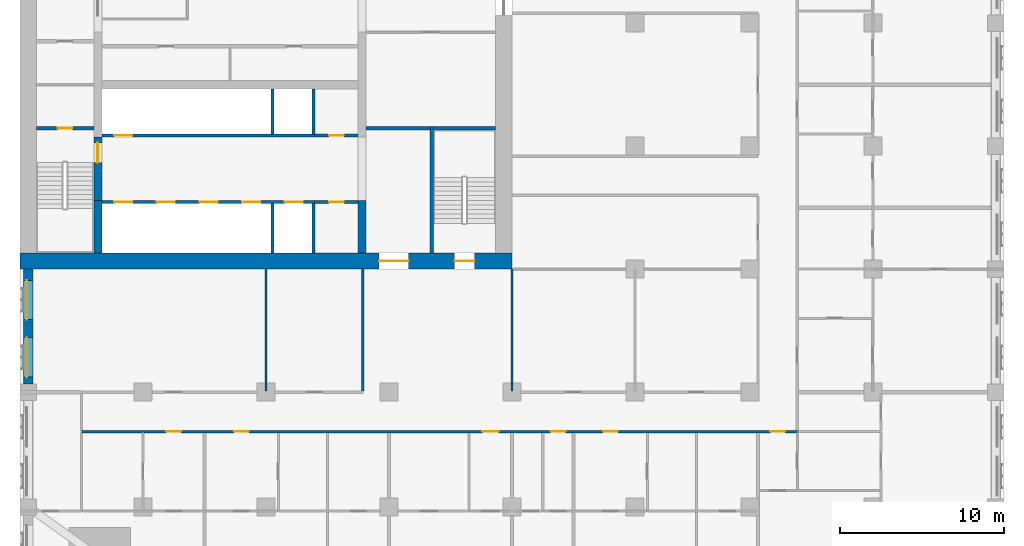
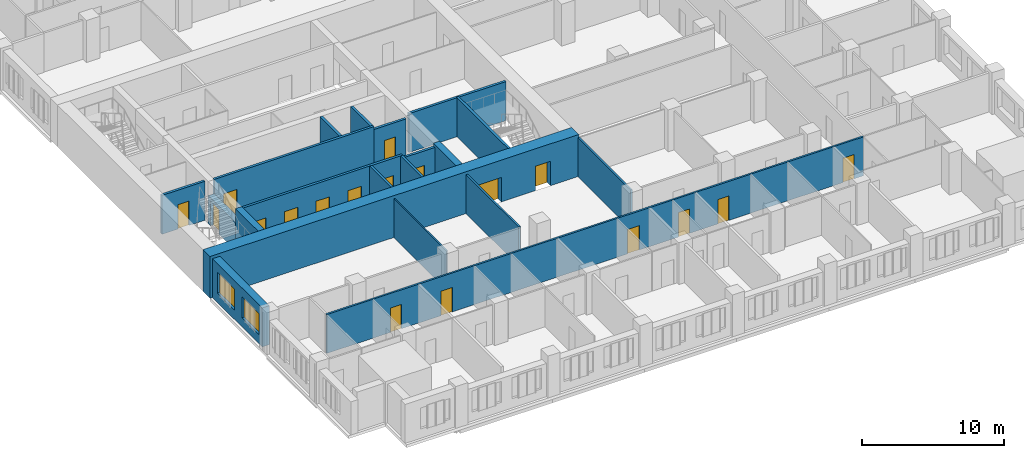
# One storey, part 5 of 14: 20 walls, 18 doors, 2 windows, 20 openings.
"""IFC4 building model written with IfcOpenShell, lengths in metres."""

from ifc_helpers import new_model, si_unit, direction, frame, frame_2d, origin, place, context, subcontext, project, spatial, rectangle, extrude, material, layer, layer_set, type_object, element, fill, save


model = new_model("IFC4")

# Units and contexts
model_context = context("Model", 3, precision=1e-05, world=origin(), true_north=direction((0.0, 1.0)))
body_context = subcontext(model_context, "Body", "Model", "MODEL_VIEW")
ifc_project = project(units=[si_unit("LENGTHUNIT", "METRE"), si_unit("AREAUNIT", "SQUARE_METRE"), si_unit("VOLUMEUNIT", "CUBIC_METRE"), si_unit("PLANEANGLEUNIT", "RADIAN"), si_unit("MASSUNIT", "GRAM", prefix="KILO")], contexts=[model_context])

# Site, building, storey
site_placement = place(None, origin())
site = spatial("IfcSite", under=ifc_project, at=site_placement, CompositionType="ELEMENT")
building_placement = place(site_placement, origin())
building = spatial("IfcBuilding", under=site, at=building_placement, Name="Tamorin Gate", CompositionType="ELEMENT")
storey_placement = place(building_placement, frame((0.0, 0.0, 107.89990234375)))
storey = spatial("IfcBuildingStorey", under=building, at=storey_placement, Name="L26", CompositionType="ELEMENT", Elevation=107.89990234375)

# Wall, openings, windows
ifc_material_1 = material(Name="Precast concrete C40/50", Category="concrete")
ifc_layer_1 = layer(ifc_material_1, 0.60009765625)
ifc_layer_set_1 = layer_set([ifc_layer_1], Name="Precast concrete C40/50")
wall_type_1 = type_object("IfcWallType", Name="Board-marked concrete facade panel 600", PredefinedType="SOLIDWALL", material=ifc_layer_set_1)
wall_1_placement = place(storey_placement, frame((30.5, 60.0, 0.0), z_axis=(0.0, 0.0, 1.0), x_axis=(0.0, -1.0, 0.0)))
wall_1 = element("IfcWall", 1, at=wall_1_placement, inside=storey, type_object=wall_type_1, Name="Facade panel", PredefinedType="SOLIDWALL", context=body_context, shape_type="SweptSolid", body=[
    extrude(rectangle(XDim=7.0, YDim=0.60009765625, at=frame_2d((3.5, 0.0))), origin(), (0.0, 0.0, 1.0), 3.35009765625),
])
opening_1_placement = place(wall_1_placement, frame((4.175048828125, 0.0, 0.800048828125)))
opening_1 = element("IfcOpeningElement", 2, at=opening_1_placement, cuts=wall_1, Name="Opening WN1", PredefinedType="OPENING", context=body_context, shape_type="SweptSolid", body=[
    extrude(rectangle(XDim=2.39990234375, YDim=1.800048828125, at=frame_2d((1.199951171875, 0.89990234375))), frame((0.0, 0.31005859375, 0.0), z_axis=(0.0, -1.0, 0.0), x_axis=(1.0, 0.0, 0.0)), (0.0, 0.0, 1.0), 0.6201171875),
])
opening_2_placement = place(wall_1_placement, frame((0.675048828125, 0.0, 0.800048828125)))
opening_2 = element("IfcOpeningElement", 3, at=opening_2_placement, cuts=wall_1, Name="Opening WN1", PredefinedType="OPENING", context=body_context, shape_type="SweptSolid", body=[
    extrude(rectangle(XDim=2.39990234375, YDim=1.800048828125, at=frame_2d((1.199951171875, 0.89990234375))), frame((0.0, 0.31005859375, 0.0), z_axis=(0.0, -1.0, 0.0), x_axis=(1.0, 0.0, 0.0)), (0.0, 0.0, 1.0), 0.6201171875),
])
ifc_material_2 = material(Name="Clear glass in aluminium frame", Category="aluminium")
window_type = type_object("IfcWindowType", Name="Deep-set window 2400x1800", PartitioningType="SINGLE_PANEL", PredefinedType="WINDOW", material=ifc_material_2)
window_1_placement = place(opening_1_placement, origin())
window_1 = element("IfcWindow", 4, at=window_1_placement, inside=storey, type_object=window_type, Name="Deep-set window", OverallHeight=1.800048828125, OverallWidth=2.39990234375, PartitioningType="SINGLE_PANEL", PredefinedType="WINDOW", context=body_context, shape_type="SweptSolid", body=[
    extrude(rectangle(XDim=2.39990234375, YDim=1.800048828125, at=frame_2d((1.199951171875, 0.89990234375))), frame((0.0, -0.070068359375, 0.0), z_axis=(0.0, -1.0, 0.0), x_axis=(1.0, 0.0, 0.0)), (0.0, 0.0, 1.0), 0.06005859375),
])
fill(opening_1, window_1)
window_2_placement = place(opening_2_placement, origin())
window_2 = element("IfcWindow", 5, at=window_2_placement, inside=storey, type_object=window_type, Name="Deep-set window", OverallHeight=1.800048828125, OverallWidth=2.39990234375, PartitioningType="SINGLE_PANEL", PredefinedType="WINDOW", context=body_context, shape_type="SweptSolid", body=[
    extrude(rectangle(XDim=2.39990234375, YDim=1.800048828125, at=frame_2d((1.199951171875, 0.89990234375))), frame((0.0, -0.070068359375, 0.0), z_axis=(0.0, -1.0, 0.0), x_axis=(1.0, 0.0, 0.0)), (0.0, 0.0, 1.0), 0.06005859375),
])
fill(opening_2, window_2)

# Wall, openings, doors
ifc_material_3 = material(Name="Gypsum board partition")
ifc_layer_2 = layer(ifc_material_3, 0.14990234375)
ifc_layer_set_2 = layer_set([ifc_layer_2], Name="Corridor wall 150")
wall_type_2 = type_object("IfcWallType", Name="Corridor wall 150", PredefinedType="PARTITIONING", material=ifc_layer_set_2)
wall_2_placement = place(storey_placement, frame((33.75, 50.10009765625, 0.0), z_axis=(0.0, 0.0, 1.0), x_axis=(1.0, 0.0, 0.0)))
wall_2 = element("IfcWall", 6, at=wall_2_placement, inside=storey, type_object=wall_type_2, Name="Corridor wall 150", PredefinedType="PARTITIONING", context=body_context, shape_type="SweptSolid", body=[
    extrude(rectangle(XDim=43.64990234375, YDim=0.14990234375, at=frame_2d((21.824951171875, 0.0))), origin(), (0.0, 0.0, 1.0), 3.35009765625),
])
opening_3_placement = place(wall_2_placement, frame((5.175048828125, 0.0, 0.0)))
opening_3 = element("IfcOpeningElement", 7, at=opening_3_placement, cuts=wall_2, Name="Opening DH5003", PredefinedType="OPENING", context=body_context, shape_type="SweptSolid", body=[
    extrude(rectangle(XDim=0.89990234375, YDim=2.10009765625, at=frame_2d((0.449951171875, 1.050048828125))), frame((0.0, 0.0849609375, 0.0), z_axis=(0.0, -1.0, 0.0), x_axis=(1.0, 0.0, 0.0)), (0.0, 0.0, 1.0), 0.169921875),
])
opening_4_placement = place(wall_2_placement, frame((9.300048828125, 0.0, 0.0)))
opening_4 = element("IfcOpeningElement", 8, at=opening_4_placement, cuts=wall_2, Name="Opening DH5005", PredefinedType="OPENING", context=body_context, shape_type="SweptSolid", body=[
    extrude(rectangle(XDim=0.89990234375, YDim=2.10009765625, at=frame_2d((0.449951171875, 1.050048828125))), frame((0.0, 0.0849609375, 0.0), z_axis=(0.0, -1.0, 0.0), x_axis=(1.0, 0.0, 0.0)), (0.0, 0.0, 1.0), 0.169921875),
])
opening_5_placement = place(wall_2_placement, frame((24.4375, 0.0, 0.0)))
opening_5 = element("IfcOpeningElement", 9, at=opening_5_placement, cuts=wall_2, Name="Opening DH5011", PredefinedType="OPENING", context=body_context, shape_type="SweptSolid", body=[
    extrude(rectangle(XDim=1.0, YDim=2.10009765625, at=frame_2d((0.5, 1.050048828125))), frame((0.0, 0.0849609375, 0.0), z_axis=(0.0, -1.0, 0.0), x_axis=(1.0, 0.0, 0.0)), (0.0, 0.0, 1.0), 0.169921875),
])
opening_6_placement = place(wall_2_placement, frame((28.612548828125, 0.0, 0.0)))
opening_6 = element("IfcOpeningElement", 10, at=opening_6_placement, cuts=wall_2, Name="Opening DH5014", PredefinedType="OPENING", context=body_context, shape_type="SweptSolid", body=[
    extrude(rectangle(XDim=0.89990234375, YDim=2.10009765625, at=frame_2d((0.449951171875, 1.050048828125))), frame((0.0, 0.0849609375, 0.0), z_axis=(0.0, -1.0, 0.0), x_axis=(1.0, 0.0, 0.0)), (0.0, 0.0, 1.0), 0.169921875),
])
opening_7_placement = place(wall_2_placement, frame((31.800048828125, 0.0, 0.0)))
opening_7 = element("IfcOpeningElement", 11, at=opening_7_placement, cuts=wall_2, Name="Opening DH5016", PredefinedType="OPENING", context=body_context, shape_type="SweptSolid", body=[
    extrude(rectangle(XDim=0.89990234375, YDim=2.10009765625, at=frame_2d((0.449951171875, 1.050048828125))), frame((0.0, 0.0849609375, 0.0), z_axis=(0.0, -1.0, 0.0), x_axis=(1.0, 0.0, 0.0)), (0.0, 0.0, 1.0), 0.169921875),
])
opening_8_placement = place(wall_2_placement, frame((42.0, 0.0, 0.0)))
opening_8 = element("IfcOpeningElement", 12, at=opening_8_placement, cuts=wall_2, Name="Opening DH5060", PredefinedType="OPENING", context=body_context, shape_type="SweptSolid", body=[
    extrude(rectangle(XDim=0.89990234375, YDim=2.10009765625, at=frame_2d((0.449951171875, 1.050048828125))), frame((0.0, 0.0849609375, 0.0), z_axis=(0.0, -1.0, 0.0), x_axis=(1.0, 0.0, 0.0)), (0.0, 0.0, 1.0), 0.169921875),
])
ifc_material_4 = material(Name="Timber door leaf", Category="wood")
door_type_1 = type_object("IfcDoorType", Name="Door 1000 x 2100 FD30S", OperationType="NOTDEFINED", PredefinedType="DOOR", material=ifc_material_4)
door_1_placement = place(opening_5_placement, origin())
door_1 = element("IfcDoor", 13, at=door_1_placement, inside=storey, type_object=door_type_1, Name="Door DH5011", OperationType="SINGLE_SWING_RIGHT", OverallHeight=2.10009765625, OverallWidth=1.0, PredefinedType="DOOR", context=body_context, shape_type="SweptSolid", body=[
    extrude(rectangle(XDim=1.0, YDim=2.10009765625, at=frame_2d((0.5, 1.050048828125))), frame((0.0, 0.02490234375, 0.0), z_axis=(0.0, -1.0, 0.0), x_axis=(1.0, 0.0, 0.0)), (0.0, 0.0, 1.0), 0.050048828125),
])
fill(opening_5, door_1)
door_type_2 = type_object("IfcDoorType", Name="Door 900 x 2100 FD30S", OperationType="NOTDEFINED", PredefinedType="DOOR", material=ifc_material_4)
door_2_placement = place(opening_3_placement, origin())
door_2 = element("IfcDoor", 14, at=door_2_placement, inside=storey, type_object=door_type_2, Name="Door DH5003", OperationType="SINGLE_SWING_RIGHT", OverallHeight=2.10009765625, OverallWidth=0.89990234375, PredefinedType="DOOR", context=body_context, shape_type="SweptSolid", body=[
    extrude(rectangle(XDim=0.89990234375, YDim=2.10009765625, at=frame_2d((0.449951171875, 1.050048828125))), frame((0.0, 0.02490234375, 0.0), z_axis=(0.0, -1.0, 0.0), x_axis=(1.0, 0.0, 0.0)), (0.0, 0.0, 1.0), 0.050048828125),
])
fill(opening_3, door_2)
door_3_placement = place(opening_4_placement, origin())
door_3 = element("IfcDoor", 15, at=door_3_placement, inside=storey, type_object=door_type_2, Name="Door DH5005", OperationType="SINGLE_SWING_RIGHT", OverallHeight=2.10009765625, OverallWidth=0.89990234375, PredefinedType="DOOR", context=body_context, shape_type="SweptSolid", body=[
    extrude(rectangle(XDim=0.89990234375, YDim=2.10009765625, at=frame_2d((0.449951171875, 1.050048828125))), frame((0.0, 0.02490234375, 0.0), z_axis=(0.0, -1.0, 0.0), x_axis=(1.0, 0.0, 0.0)), (0.0, 0.0, 1.0), 0.050048828125),
])
fill(opening_4, door_3)
door_4_placement = place(opening_6_placement, origin())
door_4 = element("IfcDoor", 16, at=door_4_placement, inside=storey, type_object=door_type_2, Name="Door DH5014", OperationType="SINGLE_SWING_RIGHT", OverallHeight=2.10009765625, OverallWidth=0.89990234375, PredefinedType="DOOR", context=body_context, shape_type="SweptSolid", body=[
    extrude(rectangle(XDim=0.89990234375, YDim=2.10009765625, at=frame_2d((0.449951171875, 1.050048828125))), frame((0.0, 0.02490234375, 0.0), z_axis=(0.0, -1.0, 0.0), x_axis=(1.0, 0.0, 0.0)), (0.0, 0.0, 1.0), 0.050048828125),
])
fill(opening_6, door_4)
door_5_placement = place(opening_7_placement, origin())
door_5 = element("IfcDoor", 17, at=door_5_placement, inside=storey, type_object=door_type_2, Name="Door DH5016", OperationType="SINGLE_SWING_RIGHT", OverallHeight=2.10009765625, OverallWidth=0.89990234375, PredefinedType="DOOR", context=body_context, shape_type="SweptSolid", body=[
    extrude(rectangle(XDim=0.89990234375, YDim=2.10009765625, at=frame_2d((0.449951171875, 1.050048828125))), frame((0.0, 0.02490234375, 0.0), z_axis=(0.0, -1.0, 0.0), x_axis=(1.0, 0.0, 0.0)), (0.0, 0.0, 1.0), 0.050048828125),
])
fill(opening_7, door_5)
door_6_placement = place(opening_8_placement, origin())
door_6 = element("IfcDoor", 18, at=door_6_placement, inside=storey, type_object=door_type_2, Name="Door DH5060", OperationType="SINGLE_SWING_LEFT", OverallHeight=2.10009765625, OverallWidth=0.89990234375, PredefinedType="DOOR", context=body_context, shape_type="SweptSolid", body=[
    extrude(rectangle(XDim=0.89990234375, YDim=2.10009765625, at=frame_2d((0.449951171875, 1.050048828125))), frame((0.0, 0.02490234375, 0.0), z_axis=(0.0, -1.0, 0.0), x_axis=(1.0, 0.0, 0.0)), (0.0, 0.0, 1.0), 0.050048828125),
])
fill(opening_8, door_6)

ifc_material_5 = material(Name="Concrete C32/40", Category="concrete")
ifc_layer_3 = layer(ifc_material_5, 0.199951171875)
ifc_layer_set_3 = layer_set([ifc_layer_3], Name="Lift lobby face wall 200 EI 120")
wall_type_3 = type_object("IfcWallType", Name="Lift lobby face wall 200 EI 120", PredefinedType="SOLIDWALL", material=ifc_layer_set_3)
wall_3_placement = place(storey_placement, frame((35.0, 64.10009765625, 0.0), z_axis=(0.0, 0.0, 1.0), x_axis=(1.0, 0.0, 0.0)))
wall_3 = element("IfcWall", 19, at=wall_3_placement, inside=storey, type_object=wall_type_3, Name="Lift lobby face wall", PredefinedType="SOLIDWALL", context=body_context, shape_type="SweptSolid", body=[
    extrude(rectangle(XDim=13.0, YDim=0.199951171875, at=frame_2d((6.5, 0.0))), origin(), (0.0, 0.0, 1.0), 3.60009765625),
])
opening_9_placement = place(wall_3_placement, frame((0.75, 0.0, 0.0)))
opening_9 = element("IfcOpeningElement", 20, at=opening_9_placement, cuts=wall_3, Name="Opening LD1", PredefinedType="OPENING", context=body_context, shape_type="SweptSolid", body=[
    extrude(rectangle(XDim=1.10009765625, YDim=2.10009765625, at=frame_2d((0.550048828125, 1.050048828125))), frame((0.0, 0.10986328125, 0.0), z_axis=(0.0, -1.0, 0.0), x_axis=(1.0, 0.0, 0.0)), (0.0, 0.0, 1.0), 0.219970703125),
])
opening_10_placement = place(wall_3_placement, frame((3.35009765625, 0.0, 0.0)))
opening_10 = element("IfcOpeningElement", 21, at=opening_10_placement, cuts=wall_3, Name="Opening LD2", PredefinedType="OPENING", context=body_context, shape_type="SweptSolid", body=[
    extrude(rectangle(XDim=1.10009765625, YDim=2.10009765625, at=frame_2d((0.550048828125, 1.050048828125))), frame((0.0, 0.10986328125, 0.0), z_axis=(0.0, -1.0, 0.0), x_axis=(1.0, 0.0, 0.0)), (0.0, 0.0, 1.0), 0.219970703125),
])
opening_11_placement = place(wall_3_placement, frame((5.949951171875, 0.0, 0.0)))
opening_11 = element("IfcOpeningElement", 22, at=opening_11_placement, cuts=wall_3, Name="Opening LD3", PredefinedType="OPENING", context=body_context, shape_type="SweptSolid", body=[
    extrude(rectangle(XDim=1.10009765625, YDim=2.10009765625, at=frame_2d((0.550048828125, 1.050048828125))), frame((0.0, 0.10986328125, 0.0), z_axis=(0.0, -1.0, 0.0), x_axis=(1.0, 0.0, 0.0)), (0.0, 0.0, 1.0), 0.219970703125),
])
opening_12_placement = place(wall_3_placement, frame((8.550048828125, 0.0, 0.0)))
opening_12 = element("IfcOpeningElement", 23, at=opening_12_placement, cuts=wall_3, Name="Opening LD4", PredefinedType="OPENING", context=body_context, shape_type="SweptSolid", body=[
    extrude(rectangle(XDim=1.10009765625, YDim=2.10009765625, at=frame_2d((0.550048828125, 1.050048828125))), frame((0.0, 0.10986328125, 0.0), z_axis=(0.0, -1.0, 0.0), x_axis=(1.0, 0.0, 0.0)), (0.0, 0.0, 1.0), 0.219970703125),
])
opening_13_placement = place(wall_3_placement, frame((11.14990234375, 0.0, 0.0)))
opening_13 = element("IfcOpeningElement", 24, at=opening_13_placement, cuts=wall_3, Name="Opening LD5", PredefinedType="OPENING", context=body_context, shape_type="SweptSolid", body=[
    extrude(rectangle(XDim=1.10009765625, YDim=2.10009765625, at=frame_2d((0.550048828125, 1.050048828125))), frame((0.0, 0.10986328125, 0.0), z_axis=(0.0, -1.0, 0.0), x_axis=(1.0, 0.0, 0.0)), (0.0, 0.0, 1.0), 0.219970703125),
])
ifc_material_6 = material(Name="Stainless steel sliding door", Category="steel")
door_type_3 = type_object("IfcDoorType", Name="Lift landing door 1100 x 2100 E 90", OperationType="DOUBLE_DOOR_SLIDING", PredefinedType="DOOR", material=ifc_material_6)
door_7_placement = place(opening_9_placement, origin())
door_7 = element("IfcDoor", 25, at=door_7_placement, inside=storey, type_object=door_type_3, Name="LR1 landing door", OperationType="DOUBLE_DOOR_SLIDING", OverallHeight=2.10009765625, OverallWidth=1.10009765625, PredefinedType="DOOR", context=body_context, shape_type="SweptSolid", body=[
    extrude(rectangle(XDim=1.10009765625, YDim=2.10009765625, at=frame_2d((0.550048828125, 1.050048828125))), frame((0.0, 0.02490234375, 0.0), z_axis=(0.0, -1.0, 0.0), x_axis=(1.0, 0.0, 0.0)), (0.0, 0.0, 1.0), 0.050048828125),
])
fill(opening_9, door_7)
door_8_placement = place(opening_10_placement, origin())
door_8 = element("IfcDoor", 26, at=door_8_placement, inside=storey, type_object=door_type_3, Name="LR2 landing door", OperationType="DOUBLE_DOOR_SLIDING", OverallHeight=2.10009765625, OverallWidth=1.10009765625, PredefinedType="DOOR", context=body_context, shape_type="SweptSolid", body=[
    extrude(rectangle(XDim=1.10009765625, YDim=2.10009765625, at=frame_2d((0.550048828125, 1.050048828125))), frame((0.0, 0.02490234375, 0.0), z_axis=(0.0, -1.0, 0.0), x_axis=(1.0, 0.0, 0.0)), (0.0, 0.0, 1.0), 0.050048828125),
])
fill(opening_10, door_8)
door_9_placement = place(opening_11_placement, origin())
door_9 = element("IfcDoor", 27, at=door_9_placement, inside=storey, type_object=door_type_3, Name="LR3 landing door", OperationType="DOUBLE_DOOR_SLIDING", OverallHeight=2.10009765625, OverallWidth=1.10009765625, PredefinedType="DOOR", context=body_context, shape_type="SweptSolid", body=[
    extrude(rectangle(XDim=1.10009765625, YDim=2.10009765625, at=frame_2d((0.550048828125, 1.050048828125))), frame((0.0, 0.02490234375, 0.0), z_axis=(0.0, -1.0, 0.0), x_axis=(1.0, 0.0, 0.0)), (0.0, 0.0, 1.0), 0.050048828125),
])
fill(opening_11, door_9)
door_10_placement = place(opening_12_placement, origin())
door_10 = element("IfcDoor", 28, at=door_10_placement, inside=storey, type_object=door_type_3, Name="LR4 landing door", OperationType="DOUBLE_DOOR_SLIDING", OverallHeight=2.10009765625, OverallWidth=1.10009765625, PredefinedType="DOOR", context=body_context, shape_type="SweptSolid", body=[
    extrude(rectangle(XDim=1.10009765625, YDim=2.10009765625, at=frame_2d((0.550048828125, 1.050048828125))), frame((0.0, 0.02490234375, 0.0), z_axis=(0.0, -1.0, 0.0), x_axis=(1.0, 0.0, 0.0)), (0.0, 0.0, 1.0), 0.050048828125),
])
fill(opening_12, door_10)
door_11_placement = place(opening_13_placement, origin())
door_11 = element("IfcDoor", 29, at=door_11_placement, inside=storey, type_object=door_type_3, Name="LR5 landing door", OperationType="DOUBLE_DOOR_SLIDING", OverallHeight=2.10009765625, OverallWidth=1.10009765625, PredefinedType="DOOR", context=body_context, shape_type="SweptSolid", body=[
    extrude(rectangle(XDim=1.10009765625, YDim=2.10009765625, at=frame_2d((0.550048828125, 1.050048828125))), frame((0.0, 0.02490234375, 0.0), z_axis=(0.0, -1.0, 0.0), x_axis=(1.0, 0.0, 0.0)), (0.0, 0.0, 1.0), 0.050048828125),
])
fill(opening_13, door_11)

# Wall, opening, door
wall_4_placement = place(storey_placement, frame((35.0, 68.14990234375, 0.0), z_axis=(0.0, 0.0, 1.0), x_axis=(1.0, 0.0, 0.0)))
wall_4 = element("IfcWall", 30, at=wall_4_placement, inside=storey, type_object=wall_type_3, Name="Lift lobby face wall", PredefinedType="SOLIDWALL", context=body_context, shape_type="SweptSolid", body=[
    extrude(rectangle(XDim=13.0, YDim=0.199951171875, at=frame_2d((6.5, 0.0))), origin(), (0.0, 0.0, 1.0), 3.60009765625),
])
opening_14_placement = place(wall_4_placement, frame((0.75, 0.0, 0.0)))
opening_14 = element("IfcOpeningElement", 31, at=opening_14_placement, cuts=wall_4, Name="Opening LD6", PredefinedType="OPENING", context=body_context, shape_type="SweptSolid", body=[
    extrude(rectangle(XDim=1.10009765625, YDim=2.10009765625, at=frame_2d((0.550048828125, 1.050048828125))), frame((0.0, 0.10986328125, 0.0), z_axis=(0.0, -1.0, 0.0), x_axis=(1.0, 0.0, 0.0)), (0.0, 0.0, 1.0), 0.219970703125),
])
door_12_placement = place(opening_14_placement, origin())
door_12 = element("IfcDoor", 32, at=door_12_placement, inside=storey, type_object=door_type_3, Name="LR6 landing door", OperationType="DOUBLE_DOOR_SLIDING", OverallHeight=2.10009765625, OverallWidth=1.10009765625, PredefinedType="DOOR", context=body_context, shape_type="SweptSolid", body=[
    extrude(rectangle(XDim=1.10009765625, YDim=2.10009765625, at=frame_2d((0.550048828125, 1.050048828125))), frame((0.0, 0.02490234375, 0.0), z_axis=(0.0, -1.0, 0.0), x_axis=(1.0, 0.0, 0.0)), (0.0, 0.0, 1.0), 0.050048828125),
])
fill(opening_14, door_12)

# Walls
ifc_layer_4 = layer(ifc_material_5, 0.199951171875)
ifc_layer_set_4 = layer_set([ifc_layer_4], Name="Lift shaft wall 200 EI 120")
wall_type_4 = type_object("IfcWallType", Name="Lift shaft wall 200 EI 120", PredefinedType="SOLIDWALL", material=ifc_layer_set_4)
for number, where, z_axis, x_axis, name in (
    (33, (45.39990234375, 61.0, 0.0), (0.0, 0.0, 1.0), (0.0, 1.0, 0.0), "Lift shaft wall"),
    (34, (47.89990234375, 61.0, 0.0), (0.0, 0.0, 1.0), (0.0, 1.0, 0.0), "Lift shaft wall"),
):
    element("IfcWall", number, at=place(storey_placement, frame(where, z_axis=z_axis, x_axis=x_axis)), inside=storey, type_object=wall_type_4, Name=name, PredefinedType="SOLIDWALL", context=body_context, shape_type="SweptSolid", body=[
        extrude(rectangle(XDim=3.0, YDim=0.199951171875, at=frame_2d((1.5, 0.0))), origin(), (0.0, 0.0, 1.0), 3.60009765625),
    ])
for number, where, z_axis, x_axis, name in (
    (35, (45.39990234375, 68.25, 0.0), (0.0, 0.0, 1.0), (0.0, 1.0, 0.0), "Lift shaft wall"),
    (36, (47.89990234375, 68.25, 0.0), (0.0, 0.0, 1.0), (0.0, 1.0, 0.0), "Lift shaft wall"),
):
    element("IfcWall", number, at=place(storey_placement, frame(where, z_axis=z_axis, x_axis=x_axis)), inside=storey, type_object=wall_type_4, Name=name, PredefinedType="SOLIDWALL", context=body_context, shape_type="SweptSolid", body=[
        extrude(rectangle(XDim=2.75, YDim=0.199951171875, at=frame_2d((1.375, 0.0))), origin(), (0.0, 0.0, 1.0), 3.60009765625),
    ])
ifc_layer_5 = layer(ifc_material_3, 0.14990234375)
ifc_layer_set_5 = layer_set([ifc_layer_5], Name="Lobby wall 150")
wall_type_5 = type_object("IfcWallType", Name="Lobby wall 150", PredefinedType="PARTITIONING", material=ifc_layer_set_5)
for number, where, z_axis, x_axis, name in (
    (37, (50.89990234375, 52.574951171875, 0.0), (0.0, 0.0, 1.0), (0.0, 1.0, 0.0), "Lobby wall 150"),
    (38, (60.0, 52.574951171875, 0.0), (0.0, 0.0, 1.0), (0.0, 1.0, 0.0), "Lobby wall 150"),
):
    element("IfcWall", number, at=place(storey_placement, frame(where, z_axis=z_axis, x_axis=x_axis)), inside=storey, type_object=wall_type_5, Name=name, PredefinedType="PARTITIONING", context=body_context, shape_type="SweptSolid", body=[
        extrude(rectangle(XDim=7.425048828125, YDim=0.14990234375, at=frame_2d((3.71240234375, 0.0))), origin(), (0.0, 0.0, 1.0), 3.35009765625),
    ])
ifc_material_7 = material(Name="Concrete C80/95", Category="concrete")
ifc_layer_6 = layer(ifc_material_7, 0.5)
ifc_layer_set_6 = layer_set([ifc_layer_6], Name="RC core internal wall 500 C80/95")
wall_type_6 = type_object("IfcWallType", Name="RC core internal wall 500 C80/95", PredefinedType="SHEAR", material=ifc_layer_set_6)
for number, where, z_axis, x_axis, name in (
    (39, (34.75, 61.0, 0.0), (0.0, 0.0, 1.0), (0.0, 1.0, 0.0), "Core cross wall L26"),
    (40, (50.85009765625, 61.0, 0.0), (0.0, 0.0, 1.0), (0.0, 1.0, 0.0), "Core cross wall L26"),
):
    element("IfcWall", number, at=place(storey_placement, frame(where, z_axis=z_axis, x_axis=x_axis)), inside=storey, type_object=wall_type_6, Name=name, PredefinedType="SHEAR", context=body_context, shape_type="SweptSolid", body=[
        extrude(rectangle(XDim=3.199951171875, YDim=0.5, at=frame_2d((1.60009765625, 0.0))), origin(), (0.0, 0.0, 1.0), 3.60009765625),
    ])

# Wall, openings, doors
ifc_layer_7 = layer(ifc_material_7, 1.0)
ifc_layer_set_7 = layer_set([ifc_layer_7], Name="RC core wall 1000 C80/95")
wall_type_7 = type_object("IfcWallType", Name="RC core wall 1000 C80/95", PredefinedType="SHEAR", material=ifc_layer_set_7)
wall_5_placement = place(storey_placement, frame((30.0, 60.5, 0.0), z_axis=(0.0, 0.0, 1.0), x_axis=(1.0, 0.0, 0.0)))
wall_5 = element("IfcWall", 41, at=wall_5_placement, inside=storey, type_object=wall_type_7, Name="Core wall L26", PredefinedType="SHEAR", context=body_context, shape_type="SweptSolid", body=[
    extrude(rectangle(XDim=30.0, YDim=1.0, at=frame_2d((15.0, 0.0))), origin(), (0.0, 0.0, 1.0), 3.60009765625),
])
opening_15_placement = place(wall_5_placement, frame((21.89990234375, 0.0, 0.0)))
opening_15 = element("IfcOpeningElement", 42, at=opening_15_placement, cuts=wall_5, Name="Opening DE1", PredefinedType="OPENING", context=body_context, shape_type="SweptSolid", body=[
    extrude(rectangle(XDim=1.800048828125, YDim=2.10009765625, at=frame_2d((0.89990234375, 1.050048828125))), frame((0.0, 0.510009765625, 0.0), z_axis=(0.0, -1.0, 0.0), x_axis=(1.0, 0.0, 0.0)), (0.0, 0.0, 1.0), 1.02001953125),
])
opening_16_placement = place(wall_5_placement, frame((26.5, 0.0, 0.0)))
opening_16 = element("IfcOpeningElement", 43, at=opening_16_placement, cuts=wall_5, Name="Opening DS1", PredefinedType="OPENING", context=body_context, shape_type="SweptSolid", body=[
    extrude(rectangle(XDim=1.199951171875, YDim=2.10009765625, at=frame_2d((0.60009765625, 1.050048828125))), frame((0.0, 0.510009765625, 0.0), z_axis=(0.0, -1.0, 0.0), x_axis=(1.0, 0.0, 0.0)), (0.0, 0.0, 1.0), 1.02001953125),
])
ifc_material_8 = material(Name="Steel fire door", Category="steel")
door_type_4 = type_object("IfcDoorType", Name="Lobby exit double door 1800 x 2100 EI 60", OperationType="DOUBLE_DOOR_SINGLE_SWING", PredefinedType="DOOR", material=ifc_material_8)
door_13_placement = place(opening_15_placement, origin())
door_13 = element("IfcDoor", 44, at=door_13_placement, inside=storey, type_object=door_type_4, Name="Lift lobby A exit door", OperationType="DOUBLE_DOOR_SINGLE_SWING", OverallHeight=2.10009765625, OverallWidth=1.800048828125, PredefinedType="DOOR", context=body_context, shape_type="SweptSolid", body=[
    extrude(rectangle(XDim=1.800048828125, YDim=2.10009765625, at=frame_2d((0.89990234375, 1.050048828125))), frame((0.0, 0.02490234375, 0.0), z_axis=(0.0, -1.0, 0.0), x_axis=(1.0, 0.0, 0.0)), (0.0, 0.0, 1.0), 0.050048828125),
])
fill(opening_15, door_13)
door_type_5 = type_object("IfcDoorType", Name="Stair door 1200 x 2100 EI 90", OperationType="SINGLE_SWING_LEFT", PredefinedType="DOOR", material=ifc_material_8)
door_14_placement = place(opening_16_placement, origin())
door_14 = element("IfcDoor", 45, at=door_14_placement, inside=storey, type_object=door_type_5, Name="ST3 door", OperationType="SINGLE_SWING_LEFT", OverallHeight=2.10009765625, OverallWidth=1.199951171875, PredefinedType="DOOR", context=body_context, shape_type="SweptSolid", body=[
    extrude(rectangle(XDim=1.199951171875, YDim=2.10009765625, at=frame_2d((0.60009765625, 1.050048828125))), frame((0.0, 0.02490234375, 0.0), z_axis=(0.0, -1.0, 0.0), x_axis=(1.0, 0.0, 0.0)), (0.0, 0.0, 1.0), 0.050048828125),
])
fill(opening_16, door_14)

# Wall
ifc_layer_8 = layer(ifc_material_3, 0.10009765625)
ifc_layer_set_8 = layer_set([ifc_layer_8], Name="Room partition 100")
wall_type_8 = type_object("IfcWallType", Name="Room partition 100", PredefinedType="PARTITIONING", material=ifc_layer_set_8)
wall_6_placement = place(storey_placement, frame((45.0, 52.574951171875, 0.0), z_axis=(0.0, 0.0, 1.0), x_axis=(0.0, 1.0, 0.0)))
element("IfcWall", 46, at=wall_6_placement, inside=storey, type_object=wall_type_8, Name="Room partition 100", PredefinedType="PARTITIONING", context=body_context, shape_type="SweptSolid", body=[
    extrude(rectangle(XDim=7.425048828125, YDim=0.10009765625, at=frame_2d((3.71240234375, 0.0))), origin(), (0.0, 0.0, 1.0), 3.35009765625),
])

# Wall, opening, door
ifc_layer_9 = layer(ifc_material_3, 0.199951171875)
ifc_layer_set_9 = layer_set([ifc_layer_9], Name="Service room face wall 200 EI 60")
wall_type_9 = type_object("IfcWallType", Name="Service room face wall 200 EI 60", PredefinedType="PARTITIONING", material=ifc_layer_set_9)
wall_7_placement = place(storey_placement, frame((48.0, 64.10009765625, 0.0), z_axis=(0.0, 0.0, 1.0), x_axis=(1.0, 0.0, 0.0)))
wall_7 = element("IfcWall", 47, at=wall_7_placement, inside=storey, type_object=wall_type_9, Name="Service room face wall", PredefinedType="PARTITIONING", context=body_context, shape_type="SweptSolid", body=[
    extrude(rectangle(XDim=2.60009765625, YDim=0.199951171875, at=frame_2d((1.300048828125, 0.0))), origin(), (0.0, 0.0, 1.0), 3.35009765625),
])
opening_17_placement = place(wall_7_placement, frame((0.85009765625, 0.0, 0.0)))
opening_17 = element("IfcOpeningElement", 48, at=opening_17_placement, cuts=wall_7, Name="Opening DK1", PredefinedType="OPENING", context=body_context, shape_type="SweptSolid", body=[
    extrude(rectangle(XDim=0.89990234375, YDim=2.10009765625, at=frame_2d((0.449951171875, 1.050048828125))), frame((0.0, 0.10986328125, 0.0), z_axis=(0.0, -1.0, 0.0), x_axis=(1.0, 0.0, 0.0)), (0.0, 0.0, 1.0), 0.219970703125),
])
ifc_material_9 = material(Name="Timber fire door", Category="wood")
door_type_6 = type_object("IfcDoorType", Name="Service room door 900 x 2100 EI 60", OperationType="SINGLE_SWING_LEFT", PredefinedType="DOOR", material=ifc_material_9)
door_15_placement = place(opening_17_placement, origin())
door_15 = element("IfcDoor", 49, at=door_15_placement, inside=storey, type_object=door_type_6, Name="Door Pantry", OperationType="SINGLE_SWING_RIGHT", OverallHeight=2.10009765625, OverallWidth=0.89990234375, PredefinedType="DOOR", context=body_context, shape_type="SweptSolid", body=[
    extrude(rectangle(XDim=0.89990234375, YDim=2.10009765625, at=frame_2d((0.449951171875, 1.050048828125))), frame((0.0, 0.02490234375, 0.0), z_axis=(0.0, -1.0, 0.0), x_axis=(1.0, 0.0, 0.0)), (0.0, 0.0, 1.0), 0.050048828125),
])
fill(opening_17, door_15)

wall_8_placement = place(storey_placement, frame((48.0, 68.14990234375, 0.0), z_axis=(0.0, 0.0, 1.0), x_axis=(1.0, 0.0, 0.0)))
wall_8 = element("IfcWall", 50, at=wall_8_placement, inside=storey, type_object=wall_type_9, Name="Service room face wall", PredefinedType="PARTITIONING", context=body_context, shape_type="SweptSolid", body=[
    extrude(rectangle(XDim=2.60009765625, YDim=0.199951171875, at=frame_2d((1.300048828125, 0.0))), origin(), (0.0, 0.0, 1.0), 3.35009765625),
])
opening_18_placement = place(wall_8_placement, frame((0.85009765625, 0.0, 0.0)))
opening_18 = element("IfcOpeningElement", 51, at=opening_18_placement, cuts=wall_8, Name="Opening DK1", PredefinedType="OPENING", context=body_context, shape_type="SweptSolid", body=[
    extrude(rectangle(XDim=0.89990234375, YDim=2.10009765625, at=frame_2d((0.449951171875, 1.050048828125))), frame((0.0, 0.10986328125, 0.0), z_axis=(0.0, -1.0, 0.0), x_axis=(1.0, 0.0, 0.0)), (0.0, 0.0, 1.0), 0.219970703125),
])
door_16_placement = place(opening_18_placement, origin())
door_16 = element("IfcDoor", 52, at=door_16_placement, inside=storey, type_object=door_type_6, Name="Door Housekeeping store", OperationType="SINGLE_SWING_RIGHT", OverallHeight=2.10009765625, OverallWidth=0.89990234375, PredefinedType="DOOR", context=body_context, shape_type="SweptSolid", body=[
    extrude(rectangle(XDim=0.89990234375, YDim=2.10009765625, at=frame_2d((0.449951171875, 1.050048828125))), frame((0.0, 0.02490234375, 0.0), z_axis=(0.0, -1.0, 0.0), x_axis=(1.0, 0.0, 0.0)), (0.0, 0.0, 1.0), 0.050048828125),
])
fill(opening_18, door_16)

ifc_material_10 = material(Name="Concrete C40/50", Category="concrete")
ifc_layer_10 = layer(ifc_material_10, 0.199951171875)
ifc_layer_set_10 = layer_set([ifc_layer_10], Name="Stair enclosure wall 200 EI 120 C40/50")
wall_type_10 = type_object("IfcWallType", Name="Stair enclosure wall 200 EI 120 C40/50", PredefinedType="SOLIDWALL", material=ifc_layer_set_10)
wall_9_placement = place(storey_placement, frame((31.0, 68.60009765625, 0.0), z_axis=(0.0, 0.0, 1.0), x_axis=(1.0, 0.0, 0.0)))
wall_9 = element("IfcWall", 53, at=wall_9_placement, inside=storey, type_object=wall_type_10, Name="Stair enclosure wall", PredefinedType="SOLIDWALL", context=body_context, shape_type="SweptSolid", body=[
    extrude(rectangle(XDim=3.5, YDim=0.199951171875, at=frame_2d((1.75, 0.0))), origin(), (0.0, 0.0, 1.0), 3.35009765625),
])
opening_19_placement = place(wall_9_placement, frame((1.300048828125, 0.0, 0.0)))
opening_19 = element("IfcOpeningElement", 54, at=opening_19_placement, cuts=wall_9, Name="Opening DR1", PredefinedType="OPENING", context=body_context, shape_type="SweptSolid", body=[
    extrude(rectangle(XDim=0.89990234375, YDim=2.10009765625, at=frame_2d((0.449951171875, 1.050048828125))), frame((0.0, 0.10986328125, 0.0), z_axis=(0.0, -1.0, 0.0), x_axis=(1.0, 0.0, 0.0)), (0.0, 0.0, 1.0), 0.219970703125),
])
door_type_7 = type_object("IfcDoorType", Name="Riser access door 900 x 2100 EI 120", OperationType="SINGLE_SWING_LEFT", PredefinedType="DOOR", material=ifc_material_8)
door_17_placement = place(opening_19_placement, origin())
door_17 = element("IfcDoor", 55, at=door_17_placement, inside=storey, type_object=door_type_7, Name="Electrical riser door", OperationType="SINGLE_SWING_LEFT", OverallHeight=2.10009765625, OverallWidth=0.89990234375, PredefinedType="DOOR", context=body_context, shape_type="SweptSolid", body=[
    extrude(rectangle(XDim=0.89990234375, YDim=2.10009765625, at=frame_2d((0.449951171875, 1.050048828125))), frame((0.0, 0.02490234375, 0.0), z_axis=(0.0, -1.0, 0.0), x_axis=(1.0, 0.0, 0.0)), (0.0, 0.0, 1.0), 0.050048828125),
])
fill(opening_19, door_17)

# Walls
wall_10_placement = place(storey_placement, frame((55.10009765625, 61.0, 0.0), z_axis=(0.0, 0.0, 1.0), x_axis=(0.0, 1.0, 0.0)))
element("IfcWall", 56, at=wall_10_placement, inside=storey, type_object=wall_type_10, Name="Stair enclosure wall", PredefinedType="SOLIDWALL", context=body_context, shape_type="SweptSolid", body=[
    extrude(rectangle(XDim=7.60009765625, YDim=0.199951171875, at=frame_2d((3.800048828125, 0.0))), origin(), (0.0, 0.0, 1.0), 3.35009765625),
])
wall_11_placement = place(storey_placement, frame((51.10009765625, 68.60009765625, 0.0), z_axis=(0.0, 0.0, 1.0), x_axis=(1.0, 0.0, 0.0)))
element("IfcWall", 57, at=wall_11_placement, inside=storey, type_object=wall_type_10, Name="Stair enclosure wall", PredefinedType="SOLIDWALL", context=body_context, shape_type="SweptSolid", body=[
    extrude(rectangle(XDim=7.89990234375, YDim=0.199951171875, at=frame_2d((3.949951171875, 0.0))), origin(), (0.0, 0.0, 1.0), 3.35009765625),
])

# Wall, opening, door
ifc_layer_11 = layer(ifc_material_5, 0.5)
ifc_layer_set_11 = layer_set([ifc_layer_11], Name="Stair lobby infill wall 500 EI 120")
wall_type_11 = type_object("IfcWallType", Name="Stair lobby infill wall 500 EI 120", PredefinedType="SOLIDWALL", material=ifc_layer_set_11)
wall_12_placement = place(storey_placement, frame((34.75, 64.199951171875, 0.0), z_axis=(0.0, 0.0, 1.0), x_axis=(0.0, 1.0, 0.0)))
wall_12 = element("IfcWall", 58, at=wall_12_placement, inside=storey, type_object=wall_type_11, Name="Stair lobby infill wall", PredefinedType="SOLIDWALL", context=body_context, shape_type="SweptSolid", body=[
    extrude(rectangle(XDim=3.85009765625, YDim=0.5, at=frame_2d((1.925048828125, 0.0))), origin(), (0.0, 0.0, 1.0), 2.400146484375),
])
opening_20_placement = place(wall_12_placement, frame((2.300048828125, 0.0, 0.0)))
opening_20 = element("IfcOpeningElement", 59, at=opening_20_placement, cuts=wall_12, Name="Opening DS1", PredefinedType="OPENING", context=body_context, shape_type="SweptSolid", body=[
    extrude(rectangle(XDim=1.199951171875, YDim=2.10009765625, at=frame_2d((0.60009765625, 1.050048828125))), frame((0.0, 0.260009765625, 0.0), z_axis=(0.0, -1.0, 0.0), x_axis=(1.0, 0.0, 0.0)), (0.0, 0.0, 1.0), 0.52001953125),
])
door_18_placement = place(opening_20_placement, origin())
door_18 = element("IfcDoor", 60, at=door_18_placement, inside=storey, type_object=door_type_5, Name="ST1 door", OperationType="SINGLE_SWING_LEFT", OverallHeight=2.10009765625, OverallWidth=1.199951171875, PredefinedType="DOOR", context=body_context, shape_type="SweptSolid", body=[
    extrude(rectangle(XDim=1.199951171875, YDim=2.10009765625, at=frame_2d((0.60009765625, 1.050048828125))), frame((0.0, 0.02490234375, 0.0), z_axis=(0.0, -1.0, 0.0), x_axis=(1.0, 0.0, 0.0)), (0.0, 0.0, 1.0), 0.050048828125),
])
fill(opening_20, door_18)

save(model, "model.ifc")
